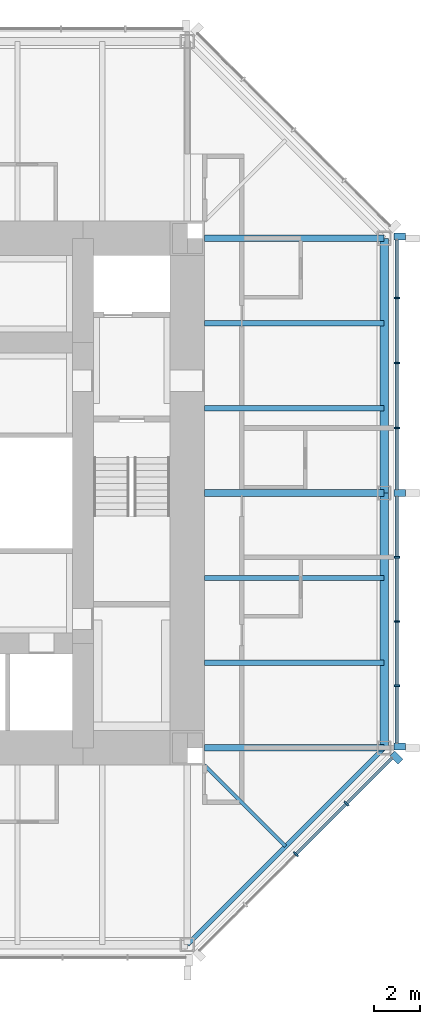
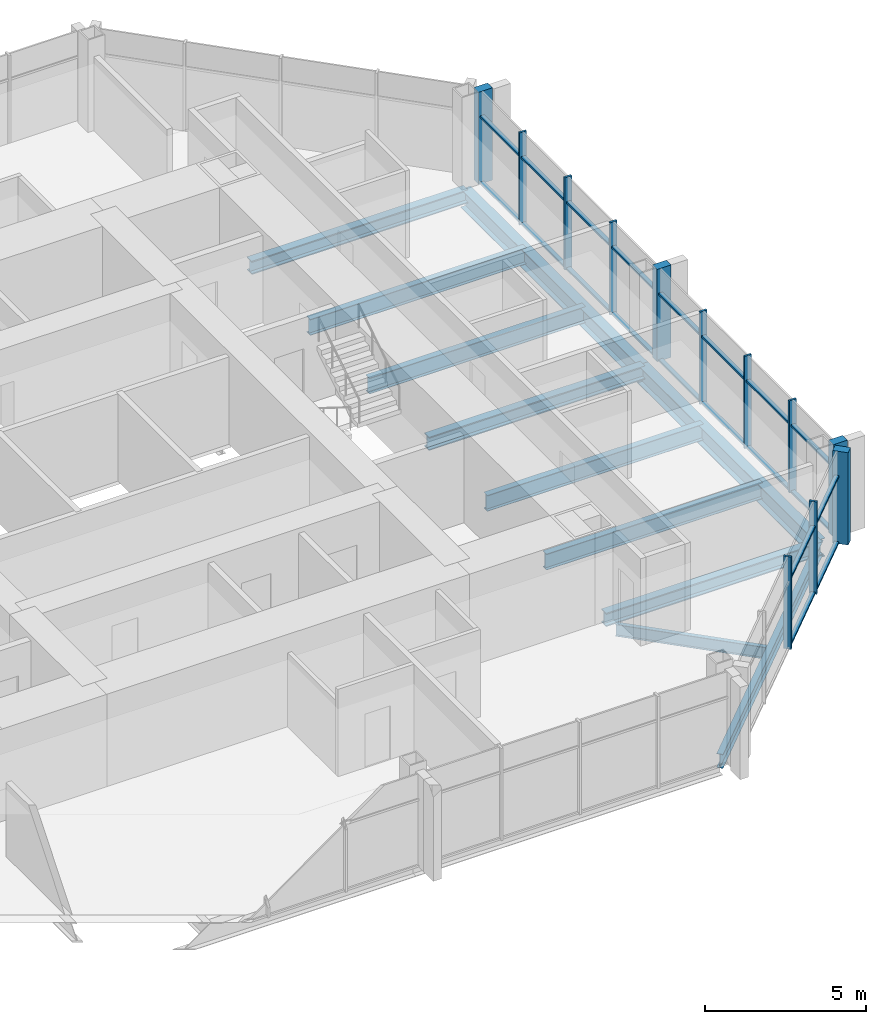
# One storey, part 4 of 11: 32 members, 11 beams, 2 elements without a shape of their own.
"""IFC4 building model written with IfcOpenShell, lengths in metres."""

import ifcopenshell
import ifcopenshell.guid

model = None  # the IFC model being written
_history = None  # IfcOwnerHistory: only IFC2X3 demands one
_inside = {}  # id of a spatial element -> (the spatial element, [elements in it])
_under = {}  # id of a project, library or spatial element -> (it, [spatial elements below it])
_declared = {}  # id of a project -> (the project, [libraries it declares])
_typed = {}  # id of a type object -> (the type object, [elements of that type])
_made_of = {}  # id of a material, layer set ... -> (it, [elements and type objects made of it])


def new_model(schema):
    """Start an empty IFC model of exactly this schema.

    Asked for "IFC4X3", IfcOpenShell would pick the latest addendum, in which some entities
    have other attributes; the version numbers below select the first issue.
    IFC2X3 requires an IfcOwnerHistory on every rooted entity: one is made here for all.
    """
    global model, _history
    if schema == "IFC4X3":
        model = ifcopenshell.file(schema_version=(4, 3, 0, 0))
    else:
        model = ifcopenshell.file(schema=schema)
    _inside.clear()
    _under.clear()
    _declared.clear()
    _typed.clear()
    _made_of.clear()
    _history = None
    if model.schema == "IFC2X3":
        org = make("IfcOrganization", Name="unknown")
        user = make(
            "IfcPersonAndOrganization",
            ThePerson=make("IfcPerson", FamilyName="unknown"),
            TheOrganization=org,
        )
        app = make(
            "IfcApplication",
            ApplicationDeveloper=org,
            Version="unknown",
            ApplicationFullName="unknown",
            ApplicationIdentifier="unknown",
        )
        _history = make(
            "IfcOwnerHistory",
            OwningUser=user,
            OwningApplication=app,
            ChangeAction="ADDED",
            CreationDate=0,
        )
    return model


def make(cls, **values):
    """One entity of the class cls with the attributes given. An attribute that is None is left unset."""
    return model.create_entity(
        cls, **{name: value for name, value in values.items() if value is not None}
    )


def rooted(cls, **values):
    """An entity with a GlobalId (a new one), such as an element, a storey or a relation."""
    return make(cls, GlobalId=ifcopenshell.guid.new(), OwnerHistory=_history, **values)


def si_unit(unit_type, name, prefix=None):
    """IfcSIUnit, for example si_unit("LENGTHUNIT", "METRE", prefix="MILLI")."""
    return make("IfcSIUnit", UnitType=unit_type, Prefix=prefix, Name=name)


def assignment(units):
    """IfcUnitAssignment: the units of a project."""
    return None if units is None else make("IfcUnitAssignment", Units=units)


def point(xyz):
    """IfcCartesianPoint."""
    return None if xyz is None else make("IfcCartesianPoint", Coordinates=xyz)


def direction(xyz):
    """IfcDirection."""
    return None if xyz is None else make("IfcDirection", DirectionRatios=xyz)


def frame(location, z_axis=None, x_axis=None):
    """IfcAxis2Placement3D, a coordinate frame: its origin and axes. An axis left out is left unset."""
    return make(
        "IfcAxis2Placement3D",
        Location=point(location),
        Axis=direction(z_axis),
        RefDirection=direction(x_axis),
    )


def frame_2d(location, x_axis=None):
    """IfcAxis2Placement2D, a coordinate frame in the plane: its origin and x axis."""
    return make(
        "IfcAxis2Placement2D", Location=point(location), RefDirection=direction(x_axis)
    )


def origin():
    """The frame at (0, 0, 0) with its axes left unset."""
    return frame((0.0, 0.0, 0.0))


def origin_2d():
    """The frame at (0, 0) in the plane with its x axis left unset."""
    return frame_2d((0.0, 0.0))


def place(relative_to, where):
    """IfcLocalPlacement: puts the frame where relative to a parent placement (None: the world)."""
    return make(
        "IfcLocalPlacement", PlacementRelTo=relative_to, RelativePlacement=where
    )


def context(
    kind, dimensions, precision=None, world=None, true_north=None, identifier=None
):
    """IfcGeometricRepresentationContext, for example the 3D "Model" context."""
    return make(
        "IfcGeometricRepresentationContext",
        ContextIdentifier=identifier,
        ContextType=kind,
        CoordinateSpaceDimension=dimensions,
        Precision=precision,
        WorldCoordinateSystem=world,
        TrueNorth=true_north,
    )


def subcontext(parent, identifier, kind, view, scale=None):
    """IfcGeometricRepresentationSubContext, for example "Body" below "Model"."""
    return make(
        "IfcGeometricRepresentationSubContext",
        ContextIdentifier=identifier,
        ContextType=kind,
        ParentContext=parent,
        TargetScale=scale,
        TargetView=view,
    )


def project(units=None, contexts=None):
    """IfcProject with its units and contexts."""
    return rooted(
        "IfcProject",
        Name="project",
        RepresentationContexts=contexts,
        UnitsInContext=assignment(units),
    )


def spatial(cls, under=None, at=None, **own):
    """A site, building, storey or space (cls), placed at a placement, below another one or the project."""
    s = rooted(cls, ObjectPlacement=at, **own)
    if under is not None:
        _under.setdefault(under.id(), (under, []))[1].append(s)
    return s


def profile(cls, at=None, kind="AREA", **sizes):
    """A parametric profile (cls). Its sizes go by their IFC names, for example OverallWidth=200.0."""
    return make(cls, ProfileType=kind, Position=at, **sizes)


def rectangle(**sizes):
    """IfcRectangleProfileDef."""
    return profile("IfcRectangleProfileDef", **sizes)


def i_section(**sizes):
    """IfcIShapeProfileDef."""
    return profile("IfcIShapeProfileDef", **sizes)


def extrude(swept, where, along, depth):
    """IfcExtrudedAreaSolid: the profile swept, set in the frame where, extruded along a direction by depth."""
    return make(
        "IfcExtrudedAreaSolid",
        SweptArea=swept,
        Position=where,
        ExtrudedDirection=direction(along),
        Depth=depth,
    )


def shape(context_of_items, identifier, shape_type, items):
    """IfcShapeRepresentation: the items that make up one representation, for example the "Body"."""
    return make(
        "IfcShapeRepresentation",
        ContextOfItems=context_of_items,
        RepresentationIdentifier=identifier,
        RepresentationType=shape_type,
        Items=items,
    )


def material(Name=None, Category=None):
    """IfcMaterial."""
    return make("IfcMaterial", Name=Name, Category=Category)


def material_profile(
    of_material, cross_section, Name=None, Category=None, Priority=None
):
    """IfcMaterialProfile: a cross section and its material."""
    return make(
        "IfcMaterialProfile",
        Name=Name,
        Material=of_material,
        Profile=cross_section,
        Priority=Priority,
        Category=Category,
    )


def profile_set(profiles, Name=None, composite=None):
    """IfcMaterialProfileSet."""
    return make(
        "IfcMaterialProfileSet",
        Name=Name,
        MaterialProfiles=profiles,
        CompositeProfile=composite,
    )


def made_of(thing, what):
    """Note that an element or type object is made of a material, layer set ...; save() writes the relation."""
    if what is not None:
        _made_of.setdefault(what.id(), (what, []))[1].append(thing)
    return thing


def type_object(cls, material=None, **own):
    """A type object (cls), such as IfcWallType, which elements share."""
    return made_of(rooted(cls, **own), material)


def element(
    cls,
    number,
    at=None,
    inside=None,
    cuts=None,
    type_object=None,
    material=None,
    context=None,
    identifier="Body",
    shape_type=None,
    held_by="IfcProductDefinitionShape",
    body=None,
    shapes=None,
    **own,
):
    """One element of the class cls, such as IfcWall. Its Tag is "e" and its number.

    at: its placement. inside: the storey or other place that contains it. cuts: it is an
    opening in that element (IfcRelVoidsElement). A single representation is given by context,
    identifier, shape_type and body (its items); several are given by shapes. held_by: the class
    of the entity that holds the representations. save() writes the other relations.
    """
    e = rooted(cls, Tag="e%d" % number, ObjectPlacement=at, **own)
    if body is not None:
        shapes = [shape(context, identifier, shape_type, body)]
    if shapes is not None:
        e.Representation = make(held_by, Representations=shapes)
    if inside is not None:
        _inside.setdefault(inside.id(), (inside, []))[1].append(e)
    if cuts is not None:
        rooted(
            "IfcRelVoidsElement", RelatingBuildingElement=cuts, RelatedOpeningElement=e
        )
    if type_object is not None:
        _typed.setdefault(type_object.id(), (type_object, []))[1].append(e)
    return made_of(e, material)


def aggregate(whole, parts):
    """IfcRelAggregates: a whole, such as a stair, and the parts it consists of."""
    return rooted("IfcRelAggregates", RelatingObject=whole, RelatedObjects=parts)


def save(model, path):
    """Write the relations noted so far, then the file.

    IfcRelAggregates (storeys below a building ...), IfcRelContainedInSpatialStructure (elements
    in a storey), IfcRelDefinesByType, IfcRelAssociatesMaterial and IfcRelDeclares: one each for
    every whole, place, type object, material and project.
    """
    for whole, parts in _under.values():
        aggregate(whole, parts)
    for where, things in _inside.values():
        rooted(
            "IfcRelContainedInSpatialStructure",
            RelatedElements=things,
            RelatingStructure=where,
        )
    for kind, things in _typed.values():
        rooted("IfcRelDefinesByType", RelatedObjects=things, RelatingType=kind)
    for what, things in _made_of.values():
        rooted("IfcRelAssociatesMaterial", RelatedObjects=things, RelatingMaterial=what)
    for by, libraries in _declared.values():
        rooted("IfcRelDeclares", RelatingContext=by, RelatedDefinitions=libraries)
    model.write(path)


model = new_model("IFC4")

# Units and contexts
model_context = context("Model", 3, precision=1e-05, world=origin(), true_north=direction((0.0, 1.0)))
body_context = subcontext(model_context, "Body", "Model", "MODEL_VIEW")
ifc_project = project(units=[si_unit("LENGTHUNIT", "METRE"), si_unit("AREAUNIT", "SQUARE_METRE"), si_unit("VOLUMEUNIT", "CUBIC_METRE"), si_unit("PLANEANGLEUNIT", "RADIAN"), si_unit("MASSUNIT", "GRAM", prefix="KILO")], contexts=[model_context])

# Site, building, storey
site_placement = place(None, origin())
site = spatial("IfcSite", under=ifc_project, at=site_placement, CompositionType="ELEMENT")
building_placement = place(site_placement, origin())
building = spatial("IfcBuilding", under=site, at=building_placement, Name="Trevanion Tower", CompositionType="ELEMENT")
storey_placement = place(building_placement, frame((0.0, 0.0, 250.199951171875)))
storey = spatial("IfcBuildingStorey", under=building, at=storey_placement, Name="L61", CompositionType="ELEMENT", Elevation=250.199951171875)

# Beams
ifc_material_1 = material(Name="Steel ASTM A992 Grade 50", Category="steel")
ifc_material_profile_1 = material_profile(ifc_material_1, i_section(OverallWidth=0.228271484375, OverallDepth=0.607177734375, WebThickness=0.01123046875, FlangeThickness=0.017333984375, at=origin_2d()), Name="W24X76")
ifc_profile_set_1 = profile_set([ifc_material_profile_1], Name="Steel ASTM A992 Grade 50")
beam_type_1 = type_object("IfcBeamType", Name="B11 W24X76", PredefinedType="BEAM", material=ifc_profile_set_1)
for number, where, z_axis, x_axis, name in (
    (1, (11.75, -7.333251953125, -0.493408203125), (1.0, 0.0, 0.0), (0.0, 1.0, 0.0), "B11 L61"),
    (2, (11.75, -3.666748046875, -0.493408203125), (1.0, 0.0, 0.0), (0.0, 1.0, 0.0), "B11 L61"),
    (3, (11.75, 3.666748046875, -0.493408203125), (1.0, 0.0, 0.0), (0.0, 1.0, 0.0), "B11 L61"),
    (4, (11.75, 7.333251953125, -0.493408203125), (1.0, 0.0, 0.0), (0.0, 1.0, 0.0), "B11 L61"),
):
    element("IfcBeam", number, at=place(storey_placement, frame(where, z_axis=z_axis, x_axis=x_axis)), inside=storey, type_object=beam_type_1, Name=name, PredefinedType="BEAM", context=body_context, shape_type="SweptSolid", body=[
        extrude(i_section(OverallWidth=0.228271484375, OverallDepth=0.607177734375, WebThickness=0.01123046875, FlangeThickness=0.017333984375, at=origin_2d()), origin(), (0.0, 0.0, 1.0), 7.75),
    ])
ifc_material_2 = material(Name="Steel ASTM A992 Grade 50", Category="steel")
ifc_material_profile_2 = material_profile(ifc_material_2, i_section(OverallWidth=0.15234375, OverallDepth=0.449462890625, WebThickness=0.007568359375, FlangeThickness=0.0107421875, at=origin_2d()), Name="W18X35")
ifc_profile_set_2 = profile_set([ifc_material_profile_2], Name="Steel ASTM A992 Grade 50")
beam_type_2 = type_object("IfcBeamType", Name="B12 W18X35", PredefinedType="BEAM", material=ifc_profile_set_2)
beam_1_placement = place(storey_placement, frame((11.75, -11.75, -0.414794921875), z_axis=(0.707106781187, -0.707106781187, 0.0), x_axis=(0.707106781187, 0.707106781187, 0.0)))
element("IfcBeam", 5, at=beam_1_placement, inside=storey, type_object=beam_type_2, Name="B12 L61", PredefinedType="BEAM", context=body_context, shape_type="SweptSolid", body=[
    extrude(i_section(OverallWidth=0.15234375, OverallDepth=0.449462890625, WebThickness=0.007568359375, FlangeThickness=0.0107421875, at=origin_2d()), origin(), (0.0, 0.0, 1.0), 4.94970703125),
])

# Curtain wall, members
ifc_material_3 = material(Name="Aluminium and glass", Category="aluminium")
curtain_wall_type = type_object("IfcCurtainWallType", Name="CW3 curtain wall", PredefinedType="USERDEFINED", material=ifc_material_3)
curtain_wall_1_placement = place(storey_placement, origin())
curtain_wall_1 = element("IfcCurtainWall", 6, at=curtain_wall_1_placement, inside=storey, type_object=curtain_wall_type, Name="CW3 L61 0", ObjectType="UNITISED CURTAIN WALL", PredefinedType="USERDEFINED")
ifc_material_4 = material(Name="Aluminium extrusion, anodised bronze", Category="aluminium")
ifc_material_profile_3 = material_profile(ifc_material_4, rectangle(XDim=0.074951171875, YDim=0.25, at=origin_2d()), Name="CW3 mullion")
ifc_profile_set_3 = profile_set([ifc_material_profile_3], Name="Aluminium extrusion, anodised bronze")
member_type_1 = type_object("IfcMemberType", Name="CW3 mullion", PredefinedType="MULLION", material=ifc_profile_set_3)
member_1_placement = place(storey_placement, frame((20.050048828125, -8.323486328125, -0.18994140625), z_axis=(0.0, 0.0, 1.0), x_axis=(0.0, 1.0, 0.0)))
member_1 = element("IfcMember", 7, at=member_1_placement, type_object=member_type_1, Name="CW3 mullion 2", PredefinedType="MULLION", context=body_context, shape_type="SweptSolid", body=[
    extrude(rectangle(XDim=0.074951171875, YDim=0.25, at=origin_2d()), origin(), (0.0, 0.0, 1.0), 3.5),
])
member_2_placement = place(storey_placement, frame((20.050048828125, -5.548828125, -0.18994140625), z_axis=(0.0, 0.0, 1.0), x_axis=(0.0, 1.0, 0.0)))
member_2 = element("IfcMember", 8, at=member_2_placement, type_object=member_type_1, Name="CW3 mullion 3", PredefinedType="MULLION", context=body_context, shape_type="SweptSolid", body=[
    extrude(rectangle(XDim=0.074951171875, YDim=0.25, at=origin_2d()), origin(), (0.0, 0.0, 1.0), 3.5),
])
member_3_placement = place(storey_placement, frame((20.050048828125, -2.7744140625, -0.18994140625), z_axis=(0.0, 0.0, 1.0), x_axis=(0.0, 1.0, 0.0)))
member_3 = element("IfcMember", 9, at=member_3_placement, type_object=member_type_1, Name="CW3 mullion 4", PredefinedType="MULLION", context=body_context, shape_type="SweptSolid", body=[
    extrude(rectangle(XDim=0.074951171875, YDim=0.25, at=origin_2d()), origin(), (0.0, 0.0, 1.0), 3.5),
])
member_4_placement = place(storey_placement, frame((20.050048828125, 2.806884765625, -0.18994140625), z_axis=(0.0, 0.0, 1.0), x_axis=(0.0, 1.0, 0.0)))
member_4 = element("IfcMember", 10, at=member_4_placement, type_object=member_type_1, Name="CW3 mullion 6", PredefinedType="MULLION", context=body_context, shape_type="SweptSolid", body=[
    extrude(rectangle(XDim=0.074951171875, YDim=0.25, at=origin_2d()), origin(), (0.0, 0.0, 1.0), 3.5),
])
member_5_placement = place(storey_placement, frame((20.050048828125, 5.614013671875, -0.18994140625), z_axis=(0.0, 0.0, 1.0), x_axis=(0.0, 1.0, 0.0)))
member_5 = element("IfcMember", 11, at=member_5_placement, type_object=member_type_1, Name="CW3 mullion 7", PredefinedType="MULLION", context=body_context, shape_type="SweptSolid", body=[
    extrude(rectangle(XDim=0.074951171875, YDim=0.25, at=origin_2d()), origin(), (0.0, 0.0, 1.0), 3.5),
])
member_6_placement = place(storey_placement, frame((20.050048828125, 8.4208984375, -0.18994140625), z_axis=(0.0, 0.0, 1.0), x_axis=(0.0, 1.0, 0.0)))
member_6 = element("IfcMember", 12, at=member_6_placement, type_object=member_type_1, Name="CW3 mullion 8", PredefinedType="MULLION", context=body_context, shape_type="SweptSolid", body=[
    extrude(rectangle(XDim=0.074951171875, YDim=0.25, at=origin_2d()), origin(), (0.0, 0.0, 1.0), 3.5),
])

curtain_wall_2_placement = place(storey_placement, origin())
curtain_wall_2 = element("IfcCurtainWall", 13, at=curtain_wall_2_placement, inside=storey, type_object=curtain_wall_type, Name="CW3 L61 7", ObjectType="UNITISED CURTAIN WALL", PredefinedType="USERDEFINED")
member_7_placement = place(storey_placement, frame((15.684814453125, -15.593017578125, -0.18994140625), z_axis=(0.0, 0.0, 1.0), x_axis=(0.707106781187, 0.707106781187, 0.0)))
member_7 = element("IfcMember", 14, at=member_7_placement, type_object=member_type_1, Name="CW3 mullion 3", PredefinedType="MULLION", context=body_context, shape_type="SweptSolid", body=[
    extrude(rectangle(XDim=0.074951171875, YDim=0.25, at=origin_2d()), origin(), (0.0, 0.0, 1.0), 3.5),
])
member_8_placement = place(storey_placement, frame((17.867431640625, -13.410400390625, -0.18994140625), z_axis=(0.0, 0.0, 1.0), x_axis=(0.707106781187, 0.707106781187, 0.0)))
member_8 = element("IfcMember", 15, at=member_8_placement, type_object=member_type_1, Name="CW3 mullion 4", PredefinedType="MULLION", context=body_context, shape_type="SweptSolid", body=[
    extrude(rectangle(XDim=0.074951171875, YDim=0.25, at=origin_2d()), origin(), (0.0, 0.0, 1.0), 3.5),
])

# Member
ifc_material_5 = material(Name="Aluminium extrusion, anodised bronze", Category="aluminium")
ifc_material_profile_4 = material_profile(ifc_material_5, rectangle(XDim=0.300048828125, YDim=0.5, at=origin_2d()), Name="CW3 pier mullion")
ifc_profile_set_4 = profile_set([ifc_material_profile_4], Name="Aluminium extrusion, anodised bronze")
member_type_2 = type_object("IfcMemberType", Name="CW3 pier mullion", PredefinedType="MULLION", material=ifc_profile_set_4)
member_9_placement = place(storey_placement, frame((20.175048828125, -10.94775390625, -0.18994140625), z_axis=(0.0, 0.0, 1.0), x_axis=(0.0, 1.0, 0.0)))
member_9 = element("IfcMember", 16, at=member_9_placement, type_object=member_type_2, Name="CW3 pier mullion 1", PredefinedType="MULLION", context=body_context, shape_type="SweptSolid", body=[
    extrude(rectangle(XDim=0.300048828125, YDim=0.5, at=origin_2d()), origin(), (0.0, 0.0, 1.0), 3.5),
])

member_10_placement = place(storey_placement, frame((20.175048828125, 0.0, -0.18994140625), z_axis=(0.0, 0.0, 1.0), x_axis=(0.0, 1.0, 0.0)))
member_10 = element("IfcMember", 17, at=member_10_placement, type_object=member_type_2, Name="CW3 pier mullion 5", PredefinedType="MULLION", context=body_context, shape_type="SweptSolid", body=[
    extrude(rectangle(XDim=0.300048828125, YDim=0.5, at=origin_2d()), origin(), (0.0, 0.0, 1.0), 3.5),
])

member_11_placement = place(storey_placement, frame((20.175048828125, 11.077880859375, -0.18994140625), z_axis=(0.0, 0.0, 1.0), x_axis=(0.0, 1.0, 0.0)))
member_11 = element("IfcMember", 18, at=member_11_placement, type_object=member_type_2, Name="CW3 pier mullion 9", PredefinedType="MULLION", context=body_context, shape_type="SweptSolid", body=[
    extrude(rectangle(XDim=0.300048828125, YDim=0.5, at=origin_2d()), origin(), (0.0, 0.0, 1.0), 3.5),
])

member_12_placement = place(storey_placement, frame((20.0322265625, -11.42236328125, -0.18994140625), z_axis=(0.0, 0.0, 1.0), x_axis=(0.707106781187, 0.707106781187, 0.0)))
member_12 = element("IfcMember", 19, at=member_12_placement, type_object=member_type_2, Name="CW3 pier mullion 5", PredefinedType="MULLION", context=body_context, shape_type="SweptSolid", body=[
    extrude(rectangle(XDim=0.300048828125, YDim=0.5, at=origin_2d()), origin(), (0.0, 0.0, 1.0), 3.5),
])

ifc_material_6 = material(Name="Aluminium extrusion, anodised bronze", Category="aluminium")
ifc_material_profile_5 = material_profile(ifc_material_6, rectangle(XDim=0.14990234375, YDim=0.074951171875, at=origin_2d()), Name="CW3 transom")
ifc_profile_set_5 = profile_set([ifc_material_profile_5], Name="Aluminium extrusion, anodised bronze")
member_type_3 = type_object("IfcMemberType", Name="CW3 transom", PredefinedType="USERDEFINED", material=ifc_profile_set_5)
member_13_placement = place(storey_placement, frame((20.050048828125, -10.7978515625, -0.15234375), z_axis=(0.0, 1.0, 0.0), x_axis=(-1.0, 0.0, 0.0)))
member_13 = element("IfcMember", 20, at=member_13_placement, type_object=member_type_3, Name="CW3 transom 1.1", ObjectType="TRANSOM", PredefinedType="USERDEFINED", context=body_context, shape_type="SweptSolid", body=[
    extrude(rectangle(XDim=0.14990234375, YDim=0.074951171875, at=origin_2d()), origin(), (0.0, 0.0, 1.0), 2.43701171875),
])

member_14_placement = place(storey_placement, frame((20.050048828125, -10.7978515625, 2.360107421875), z_axis=(0.0, 1.0, 0.0), x_axis=(-1.0, 0.0, 0.0)))
member_14 = element("IfcMember", 21, at=member_14_placement, type_object=member_type_3, Name="CW3 transom 1.2", ObjectType="TRANSOM", PredefinedType="USERDEFINED", context=body_context, shape_type="SweptSolid", body=[
    extrude(rectangle(XDim=0.14990234375, YDim=0.074951171875, at=origin_2d()), origin(), (0.0, 0.0, 1.0), 2.43701171875),
])

member_15_placement = place(storey_placement, frame((20.050048828125, -8.285888671875, -0.15234375), z_axis=(0.0, 1.0, 0.0), x_axis=(-1.0, 0.0, 0.0)))
member_15 = element("IfcMember", 22, at=member_15_placement, type_object=member_type_3, Name="CW3 transom 2.1", ObjectType="TRANSOM", PredefinedType="USERDEFINED", context=body_context, shape_type="SweptSolid", body=[
    extrude(rectangle(XDim=0.14990234375, YDim=0.074951171875, at=origin_2d()), origin(), (0.0, 0.0, 1.0), 2.699462890625),
])

member_16_placement = place(storey_placement, frame((20.050048828125, -8.285888671875, 2.360107421875), z_axis=(0.0, 1.0, 0.0), x_axis=(-1.0, 0.0, 0.0)))
member_16 = element("IfcMember", 23, at=member_16_placement, type_object=member_type_3, Name="CW3 transom 2.2", ObjectType="TRANSOM", PredefinedType="USERDEFINED", context=body_context, shape_type="SweptSolid", body=[
    extrude(rectangle(XDim=0.14990234375, YDim=0.074951171875, at=origin_2d()), origin(), (0.0, 0.0, 1.0), 2.699462890625),
])

member_17_placement = place(storey_placement, frame((20.050048828125, -5.511474609375, -0.15234375), z_axis=(0.0, 1.0, 0.0), x_axis=(-1.0, 0.0, 0.0)))
member_17 = element("IfcMember", 24, at=member_17_placement, type_object=member_type_3, Name="CW3 transom 3.1", ObjectType="TRANSOM", PredefinedType="USERDEFINED", context=body_context, shape_type="SweptSolid", body=[
    extrude(rectangle(XDim=0.14990234375, YDim=0.074951171875, at=origin_2d()), origin(), (0.0, 0.0, 1.0), 2.699462890625),
])

member_18_placement = place(storey_placement, frame((20.050048828125, -5.511474609375, 2.360107421875), z_axis=(0.0, 1.0, 0.0), x_axis=(-1.0, 0.0, 0.0)))
member_18 = element("IfcMember", 25, at=member_18_placement, type_object=member_type_3, Name="CW3 transom 3.2", ObjectType="TRANSOM", PredefinedType="USERDEFINED", context=body_context, shape_type="SweptSolid", body=[
    extrude(rectangle(XDim=0.14990234375, YDim=0.074951171875, at=origin_2d()), origin(), (0.0, 0.0, 1.0), 2.699462890625),
])

member_19_placement = place(storey_placement, frame((20.050048828125, -2.737060546875, -0.15234375), z_axis=(0.0, 1.0, 0.0), x_axis=(-1.0, 0.0, 0.0)))
member_19 = element("IfcMember", 26, at=member_19_placement, type_object=member_type_3, Name="CW3 transom 4.1", ObjectType="TRANSOM", PredefinedType="USERDEFINED", context=body_context, shape_type="SweptSolid", body=[
    extrude(rectangle(XDim=0.14990234375, YDim=0.074951171875, at=origin_2d()), origin(), (0.0, 0.0, 1.0), 2.587158203125),
])

member_20_placement = place(storey_placement, frame((20.050048828125, -2.737060546875, 2.360107421875), z_axis=(0.0, 1.0, 0.0), x_axis=(-1.0, 0.0, 0.0)))
member_20 = element("IfcMember", 27, at=member_20_placement, type_object=member_type_3, Name="CW3 transom 4.2", ObjectType="TRANSOM", PredefinedType="USERDEFINED", context=body_context, shape_type="SweptSolid", body=[
    extrude(rectangle(XDim=0.14990234375, YDim=0.074951171875, at=origin_2d()), origin(), (0.0, 0.0, 1.0), 2.587158203125),
])

member_21_placement = place(storey_placement, frame((20.050048828125, 0.14990234375, -0.15234375), z_axis=(0.0, 1.0, 0.0), x_axis=(-1.0, 0.0, 0.0)))
member_21 = element("IfcMember", 28, at=member_21_placement, type_object=member_type_3, Name="CW3 transom 5.1", ObjectType="TRANSOM", PredefinedType="USERDEFINED", context=body_context, shape_type="SweptSolid", body=[
    extrude(rectangle(XDim=0.14990234375, YDim=0.074951171875, at=origin_2d()), origin(), (0.0, 0.0, 1.0), 2.619384765625),
])

member_22_placement = place(storey_placement, frame((20.050048828125, 0.14990234375, 2.360107421875), z_axis=(0.0, 1.0, 0.0), x_axis=(-1.0, 0.0, 0.0)))
member_22 = element("IfcMember", 29, at=member_22_placement, type_object=member_type_3, Name="CW3 transom 5.2", ObjectType="TRANSOM", PredefinedType="USERDEFINED", context=body_context, shape_type="SweptSolid", body=[
    extrude(rectangle(XDim=0.14990234375, YDim=0.074951171875, at=origin_2d()), origin(), (0.0, 0.0, 1.0), 2.619384765625),
])

member_23_placement = place(storey_placement, frame((20.050048828125, 2.844482421875, -0.15234375), z_axis=(0.0, 1.0, 0.0), x_axis=(-1.0, 0.0, 0.0)))
member_23 = element("IfcMember", 30, at=member_23_placement, type_object=member_type_3, Name="CW3 transom 6.1", ObjectType="TRANSOM", PredefinedType="USERDEFINED", context=body_context, shape_type="SweptSolid", body=[
    extrude(rectangle(XDim=0.14990234375, YDim=0.074951171875, at=origin_2d()), origin(), (0.0, 0.0, 1.0), 2.73193359375),
])

member_24_placement = place(storey_placement, frame((20.050048828125, 2.844482421875, 2.360107421875), z_axis=(0.0, 1.0, 0.0), x_axis=(-1.0, 0.0, 0.0)))
member_24 = element("IfcMember", 31, at=member_24_placement, type_object=member_type_3, Name="CW3 transom 6.2", ObjectType="TRANSOM", PredefinedType="USERDEFINED", context=body_context, shape_type="SweptSolid", body=[
    extrude(rectangle(XDim=0.14990234375, YDim=0.074951171875, at=origin_2d()), origin(), (0.0, 0.0, 1.0), 2.73193359375),
])

member_25_placement = place(storey_placement, frame((20.050048828125, 5.6513671875, -0.15234375), z_axis=(0.0, 1.0, 0.0), x_axis=(-1.0, 0.0, 0.0)))
member_25 = element("IfcMember", 32, at=member_25_placement, type_object=member_type_3, Name="CW3 transom 7.1", ObjectType="TRANSOM", PredefinedType="USERDEFINED", context=body_context, shape_type="SweptSolid", body=[
    extrude(rectangle(XDim=0.14990234375, YDim=0.074951171875, at=origin_2d()), origin(), (0.0, 0.0, 1.0), 2.73193359375),
])

member_26_placement = place(storey_placement, frame((20.050048828125, 5.6513671875, 2.360107421875), z_axis=(0.0, 1.0, 0.0), x_axis=(-1.0, 0.0, 0.0)))
member_26 = element("IfcMember", 33, at=member_26_placement, type_object=member_type_3, Name="CW3 transom 7.2", ObjectType="TRANSOM", PredefinedType="USERDEFINED", context=body_context, shape_type="SweptSolid", body=[
    extrude(rectangle(XDim=0.14990234375, YDim=0.074951171875, at=origin_2d()), origin(), (0.0, 0.0, 1.0), 2.73193359375),
])

member_27_placement = place(storey_placement, frame((20.050048828125, 8.45849609375, -0.15234375), z_axis=(0.0, 1.0, 0.0), x_axis=(-1.0, 0.0, 0.0)))
member_27 = element("IfcMember", 34, at=member_27_placement, type_object=member_type_3, Name="CW3 transom 8.1", ObjectType="TRANSOM", PredefinedType="USERDEFINED", context=body_context, shape_type="SweptSolid", body=[
    extrude(rectangle(XDim=0.14990234375, YDim=0.074951171875, at=origin_2d()), origin(), (0.0, 0.0, 1.0), 2.46923828125),
])

member_28_placement = place(storey_placement, frame((20.050048828125, 8.45849609375, 2.360107421875), z_axis=(0.0, 1.0, 0.0), x_axis=(-1.0, 0.0, 0.0)))
member_28 = element("IfcMember", 35, at=member_28_placement, type_object=member_type_3, Name="CW3 transom 8.2", ObjectType="TRANSOM", PredefinedType="USERDEFINED", context=body_context, shape_type="SweptSolid", body=[
    extrude(rectangle(XDim=0.14990234375, YDim=0.074951171875, at=origin_2d()), origin(), (0.0, 0.0, 1.0), 2.46923828125),
])

aggregate(curtain_wall_1, [member_9, member_1, member_2, member_3, member_10, member_4, member_5, member_6, member_11, member_13, member_14, member_15, member_16, member_17, member_18, member_19, member_20, member_21, member_22, member_23, member_24, member_25, member_26, member_27, member_28])

member_29_placement = place(storey_placement, frame((15.71142578125, -15.56640625, -0.15234375), z_axis=(0.707106781187, 0.707106781187, 0.0), x_axis=(-0.707106781187, 0.707106781187, 0.0)))
member_29 = element("IfcMember", 36, at=member_29_placement, type_object=member_type_3, Name="CW3 transom 3.1", ObjectType="TRANSOM", PredefinedType="USERDEFINED", context=body_context, shape_type="SweptSolid", body=[
    extrude(rectangle(XDim=0.14990234375, YDim=0.074951171875, at=origin_2d()), origin(), (0.0, 0.0, 1.0), 3.011474609375),
])

member_30_placement = place(storey_placement, frame((15.71142578125, -15.56640625, 2.360107421875), z_axis=(0.707106781187, 0.707106781187, 0.0), x_axis=(-0.707106781187, 0.707106781187, 0.0)))
member_30 = element("IfcMember", 37, at=member_30_placement, type_object=member_type_3, Name="CW3 transom 3.2", ObjectType="TRANSOM", PredefinedType="USERDEFINED", context=body_context, shape_type="SweptSolid", body=[
    extrude(rectangle(XDim=0.14990234375, YDim=0.074951171875, at=origin_2d()), origin(), (0.0, 0.0, 1.0), 3.011474609375),
])

member_31_placement = place(storey_placement, frame((17.89404296875, -13.3837890625, -0.15234375), z_axis=(0.707106781187, 0.707106781187, 0.0), x_axis=(-0.707106781187, 0.707106781187, 0.0)))
member_31 = element("IfcMember", 38, at=member_31_placement, type_object=member_type_3, Name="CW3 transom 4.1", ObjectType="TRANSOM", PredefinedType="USERDEFINED", context=body_context, shape_type="SweptSolid", body=[
    extrude(rectangle(XDim=0.14990234375, YDim=0.074951171875, at=origin_2d()), origin(), (0.0, 0.0, 1.0), 2.7490234375),
])

member_32_placement = place(storey_placement, frame((17.89404296875, -13.3837890625, 2.360107421875), z_axis=(0.707106781187, 0.707106781187, 0.0), x_axis=(-0.707106781187, 0.707106781187, 0.0)))
member_32 = element("IfcMember", 39, at=member_32_placement, type_object=member_type_3, Name="CW3 transom 4.2", ObjectType="TRANSOM", PredefinedType="USERDEFINED", context=body_context, shape_type="SweptSolid", body=[
    extrude(rectangle(XDim=0.14990234375, YDim=0.074951171875, at=origin_2d()), origin(), (0.0, 0.0, 1.0), 2.7490234375),
])

aggregate(curtain_wall_2, [member_7, member_8, member_12, member_29, member_30, member_31, member_32])

# Beams
ifc_material_7 = material(Name="Steel ASTM A992 Grade 50", Category="steel")
ifc_material_profile_6 = material_profile(ifc_material_7, i_section(OverallWidth=0.28955078125, OverallDepth=0.508056640625, WebThickness=0.022705078125, FlangeThickness=0.040283203125, at=origin_2d()), Name="W18X175")
ifc_profile_set_6 = profile_set([ifc_material_profile_6], Name="Steel ASTM A992 Grade 50")
beam_type_3 = type_object("IfcBeamType", Name="G6 W18X175", PredefinedType="BEAM", material=ifc_profile_set_6)
for number, where, z_axis, x_axis, name in (
    (40, (11.75, -11.0, -0.44384765625), (1.0, 0.0, 0.0), (0.0, 1.0, 0.0), "G6 L61"),
    (41, (11.75, 0.0, -0.44384765625), (1.0, 0.0, 0.0), (0.0, 1.0, 0.0), "G6 L61"),
    (42, (11.75, 11.0, -0.44384765625), (1.0, 0.0, 0.0), (0.0, 1.0, 0.0), "G6 L61"),
):
    element("IfcBeam", number, at=place(storey_placement, frame(where, z_axis=z_axis, x_axis=x_axis)), inside=storey, type_object=beam_type_3, Name=name, PredefinedType="BEAM", context=body_context, shape_type="SweptSolid", body=[
        extrude(i_section(OverallWidth=0.28955078125, OverallDepth=0.508056640625, WebThickness=0.022705078125, FlangeThickness=0.040283203125, at=origin_2d()), origin(), (0.0, 0.0, 1.0), 7.75),
    ])
ifc_material_8 = material(Name="Steel ASTM A992 Grade 50", Category="steel")
ifc_material_profile_7 = material_profile(ifc_material_8, i_section(OverallWidth=0.355712890625, OverallDepth=0.696044921875, WebThickness=0.015380859375, FlangeThickness=0.024658203125, at=origin_2d()), Name="W27X146")
ifc_profile_set_7 = profile_set([ifc_material_profile_7], Name="Steel ASTM A992 Grade 50")
beam_type_4 = type_object("IfcBeamType", Name="SB8 W27X146", PredefinedType="SPANDREL", material=ifc_profile_set_7)
for number, where, z_axis, x_axis, name in (
    (43, (19.5, -11.0, -0.537841796875), (0.0, 1.0, 0.0), (-1.0, 0.0, 0.0), "SB8 L61"),
    (44, (19.5, 0.0, -0.537841796875), (0.0, 1.0, 0.0), (-1.0, 0.0, 0.0), "SB8 L61"),
):
    element("IfcBeam", number, at=place(storey_placement, frame(where, z_axis=z_axis, x_axis=x_axis)), inside=storey, type_object=beam_type_4, Name=name, PredefinedType="SPANDREL", context=body_context, shape_type="SweptSolid", body=[
        extrude(i_section(OverallWidth=0.355712890625, OverallDepth=0.696044921875, WebThickness=0.015380859375, FlangeThickness=0.024658203125, at=origin_2d()), origin(), (0.0, 0.0, 1.0), 11.0),
    ])
ifc_material_9 = material(Name="Steel ASTM A992 Grade 50", Category="steel")
ifc_material_profile_8 = material_profile(ifc_material_9, i_section(OverallWidth=0.209228515625, OverallDepth=0.533447265625, WebThickness=0.01025390625, FlangeThickness=0.015625, at=origin_2d()), Name="W21X62")
ifc_profile_set_8 = profile_set([ifc_material_profile_8], Name="Steel ASTM A992 Grade 50")
beam_type_5 = type_object("IfcBeamType", Name="SB9 W21X62", PredefinedType="SPANDREL", material=ifc_profile_set_8)
beam_2_placement = place(storey_placement, frame((11.0, -19.5, -0.45654296875), z_axis=(0.707106781187, 0.707106781187, 0.0), x_axis=(-0.707106781187, 0.707106781187, 0.0)))
element("IfcBeam", 45, at=beam_2_placement, inside=storey, type_object=beam_type_5, Name="SB9 L61", PredefinedType="SPANDREL", context=body_context, shape_type="SweptSolid", body=[
    extrude(i_section(OverallWidth=0.209228515625, OverallDepth=0.533447265625, WebThickness=0.01025390625, FlangeThickness=0.015625, at=origin_2d()), origin(), (0.0, 0.0, 1.0), 12.020751953125),
])

save(model, "model.ifc")
